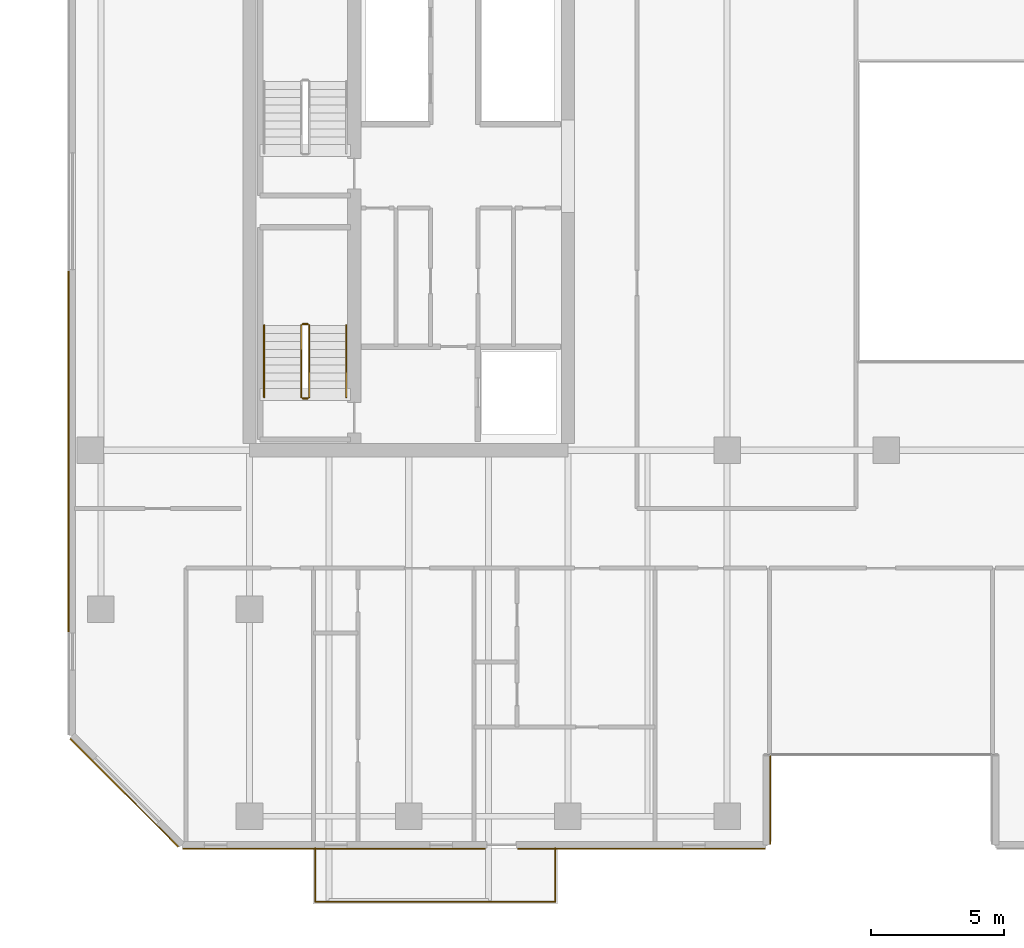
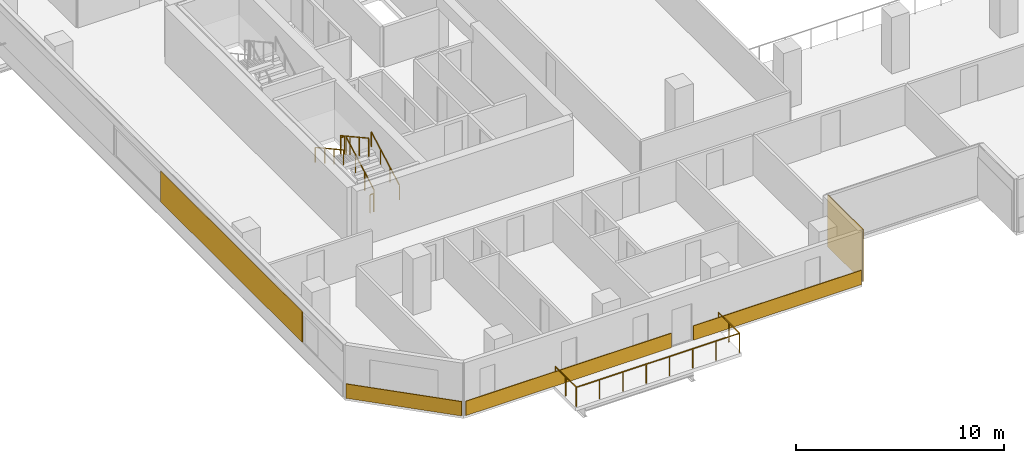
# One storey, part 18 of 23: 7 railings, 5 coverings.
"""IFC4 building model written with IfcOpenShell, lengths in metres."""

from ifc_helpers import new_model, si_unit, direction, frame, origin, origin_2d, place, context, subcontext, project, spatial, rectangle, extrude, material, layer, layer_set, type_object, element, save


model = new_model("IFC4")

# Units and contexts
model_context = context("Model", 3, precision=1e-05, world=origin(), true_north=direction((0.0, 1.0)))
body_context = subcontext(model_context, "Body", "Model", "MODEL_VIEW")
ifc_project = project(units=[si_unit("LENGTHUNIT", "METRE"), si_unit("AREAUNIT", "SQUARE_METRE"), si_unit("VOLUMEUNIT", "CUBIC_METRE"), si_unit("PLANEANGLEUNIT", "RADIAN"), si_unit("MASSUNIT", "GRAM", prefix="KILO")], contexts=[model_context])

# Site, building, storey
site_placement = place(None, origin())
site = spatial("IfcSite", under=ifc_project, at=site_placement, CompositionType="ELEMENT")
building_placement = place(site_placement, origin())
building = spatial("IfcBuilding", under=site, at=building_placement, Name="Tanjung Sevakor Pilgrim Tower", CompositionType="ELEMENT")
storey_placement = place(building_placement, frame((0.0, 0.0, 85.469970703125)))
storey = spatial("IfcBuildingStorey", under=building, at=storey_placement, Name="L23", CompositionType="ELEMENT", Elevation=85.469970703125)

# Coverings
ifc_material_1 = material(Name="Reconstructed Limestone Cladding", Category="masonry")
ifc_layer = layer(ifc_material_1, 0.044921875)
ifc_layer_set = layer_set([ifc_layer], Name="COV-CLAD-LIMESTONE")
covering_type = type_object("IfcCoveringType", Name="COV-CLAD-LIMESTONE", PredefinedType="CLADDING", material=ifc_layer_set)
covering_1_placement = place(storey_placement, frame((27.19091796875, 9.577392578125, 0.009765625), z_axis=(0.0, 0.0, 1.0), x_axis=(1.0, 0.0, 0.0)))
element("IfcCovering", 1, at=covering_1_placement, inside=storey, type_object=covering_type, Name="L23 Warm Limestone Sill Spandrel EW-L23-MAIN-1-1", PredefinedType="CLADDING", context=body_context, shape_type="SweptSolid", body=[
    extrude(rectangle(XDim=11.398193359375, YDim=0.044921875, at=origin_2d()), origin(), (0.0, 0.0, 1.0), 0.840087890625),
])
covering_2_placement = place(storey_placement, frame((38.7724609375, 9.577392578125, 0.009765625), z_axis=(0.0, 0.0, 1.0), x_axis=(1.0, 0.0, 0.0)))
element("IfcCovering", 2, at=covering_2_placement, inside=storey, type_object=covering_type, Name="L23 Warm Limestone Sill Spandrel EW-L23-MAIN-1-2", PredefinedType="CLADDING", context=body_context, shape_type="SweptSolid", body=[
    extrude(rectangle(XDim=9.324951171875, YDim=0.044921875, at=origin_2d()), origin(), (0.0, 0.0, 1.0), 0.840087890625),
])
covering_3_placement = place(storey_placement, frame((43.62255859375, 11.425048828125, 0.02001953125), z_axis=(0.0, 0.0, 1.0), x_axis=(0.0, 1.0, 0.0)))
element("IfcCovering", 3, at=covering_3_placement, inside=storey, type_object=covering_type, Name="L23 Warm Limestone Wall Cladding EW-L23-MAIN-2", PredefinedType="CLADDING", context=body_context, shape_type="SweptSolid", body=[
    extrude(rectangle(XDim=3.360107421875, YDim=0.044921875, at=origin_2d()), origin(), (0.0, 0.0, 1.0), 3.0400390625),
])
covering_4_placement = place(storey_placement, frame((17.177490234375, 24.552978515625, 0.85009765625), z_axis=(0.0, 0.0, 1.0), x_axis=(0.0, -1.0, 0.0)))
element("IfcCovering", 4, at=covering_4_placement, inside=storey, type_object=covering_type, Name="L23 Warm Limestone Pier Panel EW-L23-MAIN-15-2", PredefinedType="CLADDING", context=body_context, shape_type="SweptSolid", body=[
    extrude(rectangle(XDim=13.593994140625, YDim=0.044921875, at=origin_2d()), origin(), (0.0, 0.0, 1.0), 1.81005859375),
])
covering_5_placement = place(storey_placement, frame((19.2841796875, 11.68408203125, 0.009765625), z_axis=(0.0, 0.0, 1.0), x_axis=(0.707106781187, -0.707106781187, 0.0)))
element("IfcCovering", 5, at=covering_5_placement, inside=storey, type_object=covering_type, Name="L23 Warm Limestone Sill Spandrel EW-CHM-L23-MAIN-15-1", PredefinedType="CLADDING", context=body_context, shape_type="SweptSolid", body=[
    extrude(rectangle(XDim=5.756103515625, YDim=0.044921875, at=origin_2d()), origin(), (0.0, 0.0, 1.0), 0.840087890625),
])

# Railings
ifc_material_2 = material(Name="Laminated Glass and Aluminium", Category="aluminium")
railing_type_1 = type_object("IfcRailingType", Name="RL-BAL-BALUST", PredefinedType="BALUSTRADE", material=ifc_material_2)
railing_1_placement = place(storey_placement, frame((26.47998046875, 9.60009765625, 0.0)))
element("IfcRailing", 6, at=railing_1_placement, inside=storey, type_object=railing_type_1, Name="L23 Loggia Balustrade MAIN-S1", PredefinedType="BALUSTRADE", context=body_context, shape_type="SweptSolid", body=[
    extrude(rectangle(XDim=0.0479, YDim=0.0479), frame((0.0, 0.0, 1.1259765625), z_axis=(0.0, -1.0, 0.0), x_axis=(1.0, 0.0, 0.0)), (0.0, 0.0, 1.0), 2.02001953125),
    extrude(rectangle(XDim=0.0479, YDim=0.0479), frame((0.0, -2.02001953125, 1.1259765625), z_axis=(1.0, 0.0, 0.0), x_axis=(0.0, 1.0, 0.0)), (0.0, 0.0, 1.0), 9.0400390625),
    extrude(rectangle(XDim=0.0479, YDim=0.0479), frame((9.0400390625, -2.02001953125, 1.1259765625), z_axis=(0.0, 1.0, 0.0), x_axis=(-1.0, 0.0, 0.0)), (0.0, 0.0, 1.0), 2.02001953125),
    extrude(rectangle(XDim=0.042, YDim=0.042), origin(), (0.0, 0.0, 1.0), 1.101806640625),
    extrude(rectangle(XDim=0.042, YDim=0.042), frame((0.0, -1.010009765625, 0.0)), (0.0, 0.0, 1.0), 1.101806640625),
    extrude(rectangle(XDim=0.042, YDim=0.042), frame((0.0, -2.02001953125, 0.0)), (0.0, 0.0, 1.0), 1.101806640625),
    extrude(rectangle(XDim=0.042, YDim=0.042), frame((1.29150390625, -2.02001953125, 0.0)), (0.0, 0.0, 1.0), 1.101806640625),
    extrude(rectangle(XDim=0.042, YDim=0.042), frame((2.582763671875, -2.02001953125, 0.0)), (0.0, 0.0, 1.0), 1.101806640625),
    extrude(rectangle(XDim=0.042, YDim=0.042), frame((3.874267578125, -2.02001953125, 0.0)), (0.0, 0.0, 1.0), 1.101806640625),
    extrude(rectangle(XDim=0.042, YDim=0.042), frame((5.165771484375, -2.02001953125, 0.0)), (0.0, 0.0, 1.0), 1.101806640625),
    extrude(rectangle(XDim=0.042, YDim=0.042), frame((6.457275390625, -2.02001953125, 0.0)), (0.0, 0.0, 1.0), 1.101806640625),
    extrude(rectangle(XDim=0.042, YDim=0.042), frame((7.74853515625, -2.02001953125, 0.0)), (0.0, 0.0, 1.0), 1.101806640625),
    extrude(rectangle(XDim=0.042, YDim=0.042), frame((9.0400390625, -2.02001953125, 0.0)), (0.0, 0.0, 1.0), 1.101806640625),
    extrude(rectangle(XDim=0.042, YDim=0.042), frame((9.0400390625, -1.010009765625, 0.0)), (0.0, 0.0, 1.0), 1.101806640625),
    extrude(rectangle(XDim=0.042, YDim=0.042), frame((9.0400390625, 0.0, 0.0)), (0.0, 0.0, 1.0), 1.101806640625),
])
ifc_material_3 = material(Name="Steel S355J2", Category="steel")
railing_type_2 = type_object("IfcRailingType", Name="RL-STAIR-GUARD", PredefinedType="GUARDRAIL", material=ifc_material_3)
railing_2_placement = place(storey_placement, frame((26.25, 26.60009765625, 0.1650390625)))
element("IfcRailing", 7, at=railing_2_placement, inside=storey, type_object=railing_type_2, Name="L23 TS-W1 stair guard 1", PredefinedType="GUARDRAIL", context=body_context, shape_type="SweptSolid", body=[
    extrude(rectangle(XDim=0.0479, YDim=0.0479), frame((0.0, 0.0, 1.076171875), z_axis=(0.0, 0.876197507361, 0.481952205197), x_axis=(-1.0, 0.0, 0.0)), (0.0, 0.0, 1.0), 3.08154296875),
    extrude(rectangle(XDim=0.042, YDim=0.042), origin(), (0.0, 0.0, 1.0), 1.052001953125),
    extrude(rectangle(XDim=0.042, YDim=0.042), frame((0.0, 0.89990234375, 0.4951171875)), (0.0, 0.0, 1.0), 1.052001953125),
    extrude(rectangle(XDim=0.042, YDim=0.042), frame((0.0, 1.800048828125, 0.989990234375)), (0.0, 0.0, 1.0), 1.052001953125),
    extrude(rectangle(XDim=0.042, YDim=0.042), frame((0.0, 2.699951171875, 1.485107421875)), (0.0, 0.0, 1.0), 1.052001953125),
])
railing_3_placement = place(storey_placement, frame((26.199951171875, 29.35009765625, 1.650146484375)))
element("IfcRailing", 8, at=railing_3_placement, inside=storey, type_object=railing_type_2, Name="L23 TS-W1 stair guard 2", PredefinedType="GUARDRAIL", context=body_context, shape_type="SweptSolid", body=[
    extrude(rectangle(XDim=0.0479, YDim=0.0479), frame((0.0, 0.0, 1.076171875), z_axis=(-1.0, 0.0, 0.0), x_axis=(0.0, -1.0, 0.0)), (0.0, 0.0, 1.0), 0.199951171875),
    extrude(rectangle(XDim=0.042, YDim=0.042), origin(), (0.0, 0.0, 1.0), 1.052001953125),
    extrude(rectangle(XDim=0.042, YDim=0.042), frame((-0.199951171875, 0.0, 0.0)), (0.0, 0.0, 1.0), 1.052001953125),
])
railing_4_placement = place(storey_placement, frame((25.949951171875, 29.300048828125, 1.81494140625)))
element("IfcRailing", 9, at=railing_4_placement, inside=storey, type_object=railing_type_2, Name="L23 TS-W1 stair guard 3", PredefinedType="GUARDRAIL", context=body_context, shape_type="SweptSolid", body=[
    extrude(rectangle(XDim=0.0479, YDim=0.0479), frame((0.0, 0.0, 1.076171875), z_axis=(0.0, -0.876197507361, 0.481952205197), x_axis=(1.0, 0.0, 0.0)), (0.0, 0.0, 1.0), 3.08154296875),
    extrude(rectangle(XDim=0.042, YDim=0.042), origin(), (0.0, 0.0, 1.0), 1.052001953125),
    extrude(rectangle(XDim=0.042, YDim=0.042), frame((0.0, -0.89990234375, 0.4951171875)), (0.0, 0.0, 1.0), 1.052001953125),
    extrude(rectangle(XDim=0.042, YDim=0.042), frame((0.0, -1.800048828125, 0.989990234375)), (0.0, 0.0, 1.0), 1.052001953125),
    extrude(rectangle(XDim=0.042, YDim=0.042), frame((0.0, -2.699951171875, 1.485107421875)), (0.0, 0.0, 1.0), 1.052001953125),
])
railing_5_placement = place(storey_placement, frame((26.199951171875, 26.550048828125, 0.0)))
element("IfcRailing", 10, at=railing_5_placement, inside=storey, type_object=railing_type_2, Name="L23 TS-W1 stair guard 4", PredefinedType="GUARDRAIL", context=body_context, shape_type="SweptSolid", body=[
    extrude(rectangle(XDim=0.0479, YDim=0.0479), frame((0.0, 0.0, 1.076171875), z_axis=(-1.0, 0.0, 0.0), x_axis=(0.0, -1.0, 0.0)), (0.0, 0.0, 1.0), 0.199951171875),
    extrude(rectangle(XDim=0.042, YDim=0.042), origin(), (0.0, 0.0, 1.0), 1.052001953125),
    extrude(rectangle(XDim=0.042, YDim=0.042), frame((-0.199951171875, 0.0, 0.0)), (0.0, 0.0, 1.0), 1.052001953125),
])
ifc_material_4 = material(Name="Steel S355J2", Category="steel")
railing_type_3 = type_object("IfcRailingType", Name="RL-STAIR-HAND", PredefinedType="HANDRAIL", material=ifc_material_4)
railing_6_placement = place(storey_placement, frame((27.64990234375, 26.60009765625, 0.1650390625)))
element("IfcRailing", 11, at=railing_6_placement, inside=storey, type_object=railing_type_3, Name="L23 TS-W1 stair handrail 1", PredefinedType="HANDRAIL", context=body_context, shape_type="SweptSolid", body=[
    extrude(rectangle(XDim=0.0479, YDim=0.0479), frame((0.0, 0.0, 0.8759765625), z_axis=(0.0, 0.876197507361, 0.481952205197), x_axis=(-1.0, 0.0, 0.0)), (0.0, 0.0, 1.0), 3.08154296875),
    extrude(rectangle(XDim=0.042, YDim=0.042), origin(), (0.0, 0.0, 1.0), 0.851806640625),
    extrude(rectangle(XDim=0.042, YDim=0.042), frame((0.0, 0.89990234375, 0.4951171875)), (0.0, 0.0, 1.0), 0.851806640625),
    extrude(rectangle(XDim=0.042, YDim=0.042), frame((0.0, 1.800048828125, 0.989990234375)), (0.0, 0.0, 1.0), 0.851806640625),
    extrude(rectangle(XDim=0.042, YDim=0.042), frame((0.0, 2.699951171875, 1.485107421875)), (0.0, 0.0, 1.0), 0.851806640625),
])
railing_7_placement = place(storey_placement, frame((24.550048828125, 29.300048828125, 1.81494140625)))
element("IfcRailing", 12, at=railing_7_placement, inside=storey, type_object=railing_type_3, Name="L23 TS-W1 stair handrail 2", PredefinedType="HANDRAIL", context=body_context, shape_type="SweptSolid", body=[
    extrude(rectangle(XDim=0.0479, YDim=0.0479), frame((0.0, 0.0, 0.8759765625), z_axis=(0.0, -0.876197507361, 0.481952205197), x_axis=(1.0, 0.0, 0.0)), (0.0, 0.0, 1.0), 3.08154296875),
    extrude(rectangle(XDim=0.042, YDim=0.042), origin(), (0.0, 0.0, 1.0), 0.851806640625),
    extrude(rectangle(XDim=0.042, YDim=0.042), frame((0.0, -0.89990234375, 0.4951171875)), (0.0, 0.0, 1.0), 0.851806640625),
    extrude(rectangle(XDim=0.042, YDim=0.042), frame((0.0, -1.800048828125, 0.989990234375)), (0.0, 0.0, 1.0), 0.851806640625),
    extrude(rectangle(XDim=0.042, YDim=0.042), frame((0.0, -2.699951171875, 1.485107421875)), (0.0, 0.0, 1.0), 0.851806640625),
])

save(model, "model.ifc")
